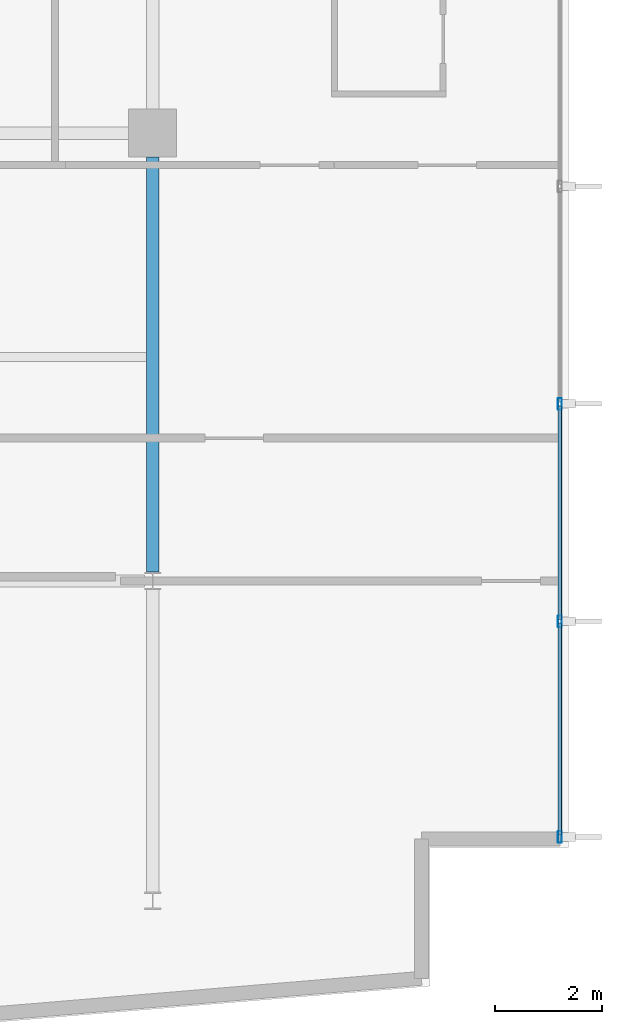
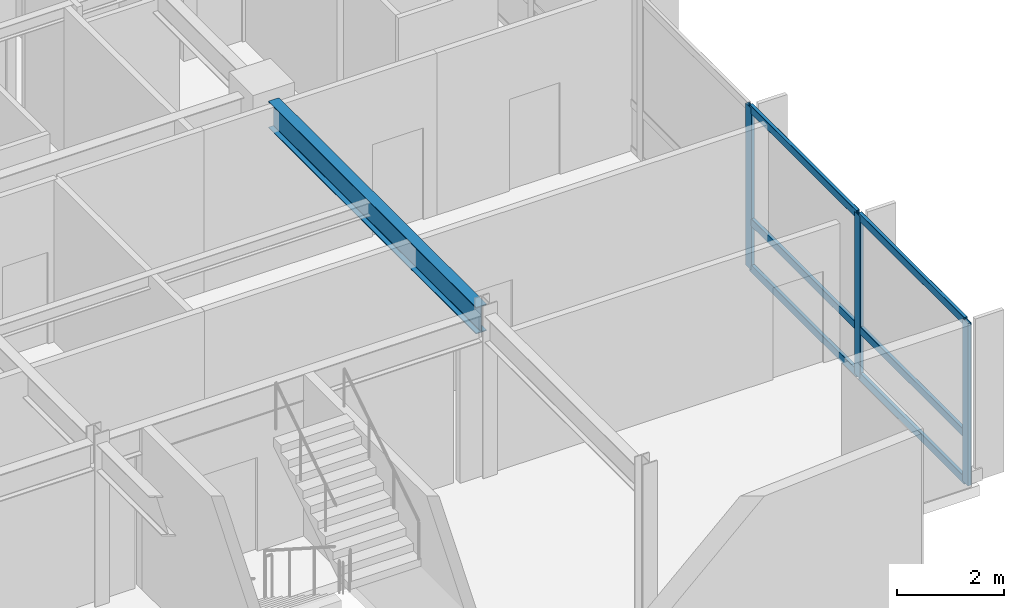
# One storey, part 5 of 22: 9 members, 1 beam, 1 element without a shape of its own.
"""IFC4 building model written with IfcOpenShell, lengths in metres."""

from ifc_helpers import new_model, si_unit, direction, frame, origin, origin_2d, place, context, subcontext, project, spatial, hollow_rectangle, i_section, extrude, material, layer, layer_set, material_profile, profile_set, type_object, element, aggregate, save


model = new_model("IFC4")

# Units and contexts
model_context = context("Model", 3, precision=1e-05, world=origin(), true_north=direction((0.0, 1.0)))
body_context = subcontext(model_context, "Body", "Model", "MODEL_VIEW")
ifc_project = project(units=[si_unit("LENGTHUNIT", "METRE"), si_unit("AREAUNIT", "SQUARE_METRE"), si_unit("VOLUMEUNIT", "CUBIC_METRE"), si_unit("PLANEANGLEUNIT", "RADIAN"), si_unit("MASSUNIT", "GRAM", prefix="KILO")], contexts=[model_context])

# Site, building, storey
site_placement = place(None, origin())
site = spatial("IfcSite", under=ifc_project, at=site_placement, CompositionType="ELEMENT")
building_placement = place(site_placement, origin())
building = spatial("IfcBuilding", under=site, at=building_placement, Name="Varnakote Quay Hospital", CompositionType="ELEMENT")
storey_placement = place(building_placement, frame((0.0, 0.0, 65.949951171875)))
storey = spatial("IfcBuildingStorey", under=building, at=storey_placement, Name="L16", CompositionType="ELEMENT", Elevation=65.949951171875)

# Beam
ifc_material_1 = material(Name="Structural steel AS/NZS 3679.1 Grade 350 L0 (fy 340 MPa)", Category="steel")
ifc_material_profile_1 = material_profile(ifc_material_1, i_section(OverallWidth=0.22900390625, OverallDepth=0.612060546875, WebThickness=0.011962890625, FlangeThickness=0.01953125, FilletRadius=0.013916015625, at=origin_2d()), Name="610UB125")
ifc_profile_set_1 = profile_set([ifc_material_profile_1], Name="Structural steel AS/NZS 3679.1 Grade 350 L0 (fy 340 MPa)")
beam_type = type_object("IfcBeamType", Name="BM-STL-610UB125", PredefinedType="BEAM", material=ifc_profile_set_1)
beam_placement = place(storey_placement, frame((50.39990234375, 12.16357421875, 3.404052734375), z_axis=(0.0, 1.0, 0.0), x_axis=(-1.0, 0.0, 0.0)))
element("IfcBeam", 1, at=beam_placement, inside=storey, type_object=beam_type, Name="L16 Primary Tie Beam", PredefinedType="BEAM", context=body_context, shape_type="SweptSolid", body=[
    extrude(i_section(OverallWidth=0.22900390625, OverallDepth=0.612060546875, WebThickness=0.011962890625, FlangeThickness=0.01953125, FilletRadius=0.013916015625, at=origin_2d()), origin(), (0.0, 0.0, 1.0), 7.786376953125),
])

# Curtain wall, members
ifc_material_2 = material(Name="Anodised aluminium 6063-T6 Bronze", Category="aluminium")
ifc_layer = layer(ifc_material_2, 0.18994140625)
ifc_layer_set = layer_set([ifc_layer], Name="Anodised aluminium 6063-T6 Bronze")
curtain_wall_type = type_object("IfcCurtainWallType", Name="CW-SYS-2", PredefinedType="NOTDEFINED", material=ifc_layer_set)
curtain_wall_placement = place(storey_placement, origin())
curtain_wall = element("IfcCurtainWall", 2, at=curtain_wall_placement, inside=storey, type_object=curtain_wall_type, Name="L16 Unitised Bronze Curtain Wall 1", PredefinedType="NOTDEFINED")
ifc_material_3 = material(Name="Anodised aluminium 6063-T6 Bronze", Category="aluminium")
ifc_material_profile_2 = material_profile(ifc_material_3, hollow_rectangle(XDim=0.074951171875, YDim=0.219970703125, WallThickness=0.00439453125, InnerFilletRadius=0.00439453125, OuterFilletRadius=0.009033203125, at=origin_2d()), Name="CW-MULL-220x75")
ifc_profile_set_2 = profile_set([ifc_material_profile_2], Name="Anodised aluminium 6063-T6 Bronze")
member_type_1 = type_object("IfcMemberType", Name="CW-MULL-220x75", PredefinedType="MULLION", material=ifc_profile_set_2)
member_1_placement = place(storey_placement, frame((58.0400390625, 7.197509765625, 0.0), z_axis=(0.0, 0.0, 1.0), x_axis=(-1.0, 0.0, 0.0)))
member_1 = element("IfcMember", 3, at=member_1_placement, type_object=member_type_1, Name="-2-L16-1 mullion 1", PredefinedType="MULLION", context=body_context, shape_type="SweptSolid", body=[
    extrude(hollow_rectangle(XDim=0.074951171875, YDim=0.219970703125, WallThickness=0.00439453125, InnerFilletRadius=0.00439453125, OuterFilletRadius=0.009033203125, at=origin_2d()), origin(), (0.0, 0.0, 1.0), 3.7099609375),
])
member_2_placement = place(storey_placement, frame((58.0400390625, 11.239990234375, 0.0), z_axis=(0.0, 0.0, 1.0), x_axis=(-1.0, 0.0, 0.0)))
member_2 = element("IfcMember", 4, at=member_2_placement, type_object=member_type_1, Name="-2-L16-1 mullion 2", PredefinedType="MULLION", context=body_context, shape_type="SweptSolid", body=[
    extrude(hollow_rectangle(XDim=0.074951171875, YDim=0.219970703125, WallThickness=0.00439453125, InnerFilletRadius=0.00439453125, OuterFilletRadius=0.009033203125, at=origin_2d()), origin(), (0.0, 0.0, 1.0), 3.7099609375),
])
member_3_placement = place(storey_placement, frame((58.0400390625, 15.320068359375, 0.0), z_axis=(0.0, 0.0, 1.0), x_axis=(-1.0, 0.0, 0.0)))
member_3 = element("IfcMember", 5, at=member_3_placement, type_object=member_type_1, Name="-2-L16-1 mullion 3", PredefinedType="MULLION", context=body_context, shape_type="SweptSolid", body=[
    extrude(hollow_rectangle(XDim=0.074951171875, YDim=0.219970703125, WallThickness=0.00439453125, InnerFilletRadius=0.00439453125, OuterFilletRadius=0.009033203125, at=origin_2d()), origin(), (0.0, 0.0, 1.0), 3.7099609375),
])
ifc_material_4 = material(Name="Anodised aluminium 6063-T6 Bronze", Category="aluminium")
ifc_material_profile_3 = material_profile(ifc_material_4, hollow_rectangle(XDim=0.074951171875, YDim=0.179931640625, WallThickness=0.004150390625, InnerFilletRadius=0.004150390625, OuterFilletRadius=0.00830078125, at=origin_2d()), Name="CW-TRAN-180x75")
ifc_profile_set_3 = profile_set([ifc_material_profile_3], Name="Anodised aluminium 6063-T6 Bronze")
member_type_2 = type_object("IfcMemberType", Name="CW-TRAN-180x75", PredefinedType="USERDEFINED", material=ifc_profile_set_3)
member_4_placement = place(storey_placement, frame((58.0400390625, 7.235107421875, 0.03759765625), z_axis=(0.0, 1.0, 0.0), x_axis=(-1.0, 0.0, 0.0)))
member_4 = element("IfcMember", 6, at=member_4_placement, type_object=member_type_2, Name="-2-L16-1 transom 1.1", ObjectType="TRANSOM", PredefinedType="USERDEFINED", context=body_context, shape_type="SweptSolid", body=[
    extrude(hollow_rectangle(XDim=0.074951171875, YDim=0.179931640625, WallThickness=0.004150390625, InnerFilletRadius=0.004150390625, OuterFilletRadius=0.00830078125, at=origin_2d()), origin(), (0.0, 0.0, 1.0), 3.96728515625),
])
member_5_placement = place(storey_placement, frame((58.0400390625, 7.235107421875, 1.10009765625), z_axis=(0.0, 1.0, 0.0), x_axis=(-1.0, 0.0, 0.0)))
member_5 = element("IfcMember", 7, at=member_5_placement, type_object=member_type_2, Name="-2-L16-1 transom 1.2", ObjectType="TRANSOM", PredefinedType="USERDEFINED", context=body_context, shape_type="SweptSolid", body=[
    extrude(hollow_rectangle(XDim=0.074951171875, YDim=0.179931640625, WallThickness=0.004150390625, InnerFilletRadius=0.004150390625, OuterFilletRadius=0.00830078125, at=origin_2d()), origin(), (0.0, 0.0, 1.0), 3.96728515625),
])
member_6_placement = place(storey_placement, frame((58.0400390625, 7.235107421875, 3.672607421875), z_axis=(0.0, 1.0, 0.0), x_axis=(-1.0, 0.0, 0.0)))
member_6 = element("IfcMember", 8, at=member_6_placement, type_object=member_type_2, Name="-2-L16-1 transom 1.3", ObjectType="TRANSOM", PredefinedType="USERDEFINED", context=body_context, shape_type="SweptSolid", body=[
    extrude(hollow_rectangle(XDim=0.074951171875, YDim=0.179931640625, WallThickness=0.004150390625, InnerFilletRadius=0.004150390625, OuterFilletRadius=0.00830078125, at=origin_2d()), origin(), (0.0, 0.0, 1.0), 3.96728515625),
])
member_7_placement = place(storey_placement, frame((58.0400390625, 11.277587890625, 0.03759765625), z_axis=(0.0, 1.0, 0.0), x_axis=(-1.0, 0.0, 0.0)))
member_7 = element("IfcMember", 9, at=member_7_placement, type_object=member_type_2, Name="-2-L16-1 transom 2.1", ObjectType="TRANSOM", PredefinedType="USERDEFINED", context=body_context, shape_type="SweptSolid", body=[
    extrude(hollow_rectangle(XDim=0.074951171875, YDim=0.179931640625, WallThickness=0.004150390625, InnerFilletRadius=0.004150390625, OuterFilletRadius=0.00830078125, at=origin_2d()), origin(), (0.0, 0.0, 1.0), 4.0048828125),
])
member_8_placement = place(storey_placement, frame((58.0400390625, 11.277587890625, 1.10009765625), z_axis=(0.0, 1.0, 0.0), x_axis=(-1.0, 0.0, 0.0)))
member_8 = element("IfcMember", 10, at=member_8_placement, type_object=member_type_2, Name="-2-L16-1 transom 2.2", ObjectType="TRANSOM", PredefinedType="USERDEFINED", context=body_context, shape_type="SweptSolid", body=[
    extrude(hollow_rectangle(XDim=0.074951171875, YDim=0.179931640625, WallThickness=0.004150390625, InnerFilletRadius=0.004150390625, OuterFilletRadius=0.00830078125, at=origin_2d()), origin(), (0.0, 0.0, 1.0), 4.0048828125),
])
member_9_placement = place(storey_placement, frame((58.0400390625, 11.277587890625, 3.672607421875), z_axis=(0.0, 1.0, 0.0), x_axis=(-1.0, 0.0, 0.0)))
member_9 = element("IfcMember", 11, at=member_9_placement, type_object=member_type_2, Name="-2-L16-1 transom 2.3", ObjectType="TRANSOM", PredefinedType="USERDEFINED", context=body_context, shape_type="SweptSolid", body=[
    extrude(hollow_rectangle(XDim=0.074951171875, YDim=0.179931640625, WallThickness=0.004150390625, InnerFilletRadius=0.004150390625, OuterFilletRadius=0.00830078125, at=origin_2d()), origin(), (0.0, 0.0, 1.0), 4.0048828125),
])
aggregate(curtain_wall, [member_1, member_2, member_3, member_4, member_5, member_6, member_7, member_8, member_9])

save(model, "model.ifc")
